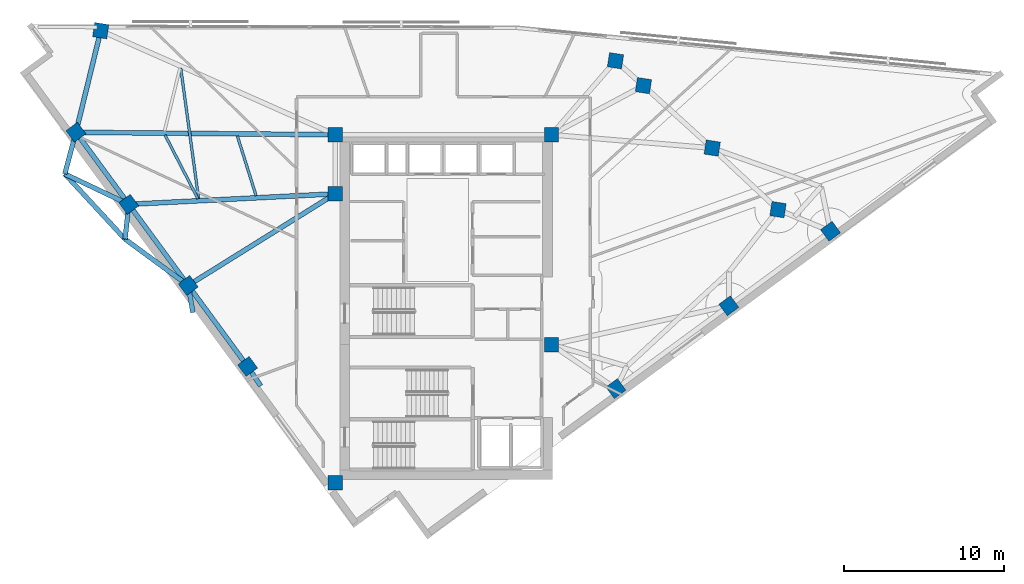
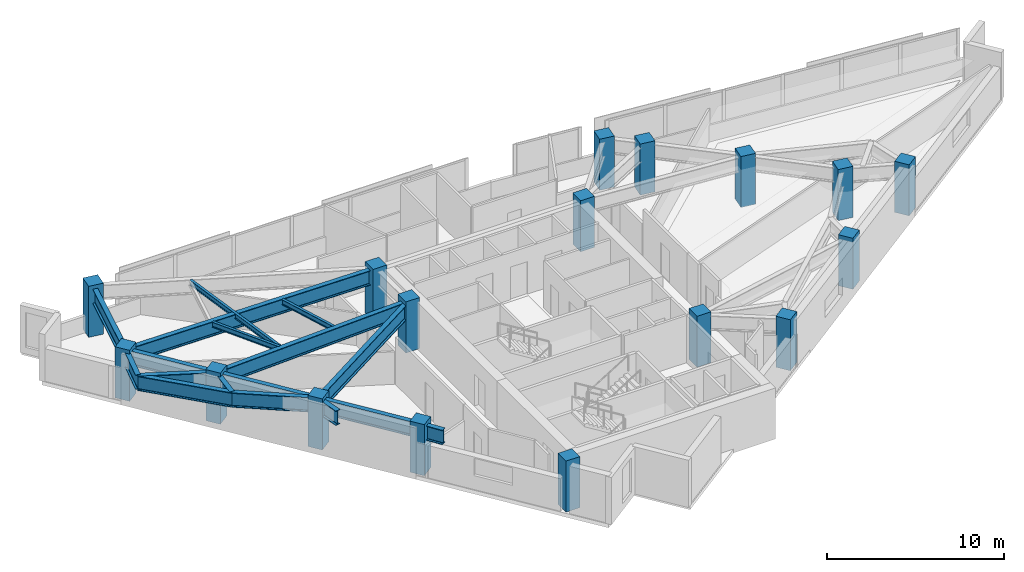
# One storey, part 1 of 14: 17 beams, 17 columns.
"""IFC4 building model written with IfcOpenShell, lengths in metres."""

from ifc_helpers import new_model, si_unit, direction, frame, origin, origin_2d, place, context, subcontext, project, spatial, rectangle, i_section, extrude, material, material_profile, profile_set, type_object, element, save


model = new_model("IFC4")

# Units and contexts
model_context = context("Model", 3, precision=1e-05, world=origin(), true_north=direction((0.0, 1.0)))
body_context = subcontext(model_context, "Body", "Model", "MODEL_VIEW")
ifc_project = project(units=[si_unit("LENGTHUNIT", "METRE"), si_unit("AREAUNIT", "SQUARE_METRE"), si_unit("VOLUMEUNIT", "CUBIC_METRE"), si_unit("PLANEANGLEUNIT", "RADIAN"), si_unit("MASSUNIT", "GRAM", prefix="KILO")], contexts=[model_context])

# Site, building, storey
site_placement = place(None, origin())
site = spatial("IfcSite", under=ifc_project, at=site_placement, CompositionType="ELEMENT")
building_placement = place(site_placement, origin())
building = spatial("IfcBuilding", under=site, at=building_placement, Name="Narakoshi Arena Tower", CompositionType="ELEMENT")
storey_placement = place(building_placement, frame((0.0, 0.0, 260.739990234375)))
storey = spatial("IfcBuildingStorey", under=building, at=storey_placement, Name="L71", CompositionType="ELEMENT", Elevation=260.739990234375)

# Columns
ifc_material_1 = material(Name="Concrete C50/60", Category="concrete")
ifc_material_profile_1 = material_profile(ifc_material_1, rectangle(XDim=0.89990234375, YDim=0.89990234375, at=origin_2d()), Name="RC900x900")
ifc_profile_set_1 = profile_set([ifc_material_profile_1], Name="Concrete C50/60")
column_type = type_object("IfcColumnType", Name="COL-RC900", PredefinedType="COLUMN", material=ifc_profile_set_1)
for number, where, z_axis, x_axis, name in (
    (1, (72.0, 34.699951171875, 0.0), (0.0, 0.0, 1.0), (1.0, 0.0, 0.0), "L71 Core Structural Column CC1"),
    (2, (85.550048828125, 43.35009765625, 0.0), (0.0, 0.0, 1.0), (1.0, 0.0, 0.0), "L71 Core Structural Column CC3"),
    (3, (72.0, 52.800048828125, 0.0), (0.0, 0.0, 1.0), (1.0, 0.0, 0.0), "L71 Core Structural Column CC4"),
    (4, (72.0, 56.5, 0.0), (0.0, 0.0, 1.0), (1.0, 0.0, 0.0), "L71 Core Structural Column CC5"),
    (5, (85.550048828125, 56.5, 0.0), (0.0, 0.0, 1.0), (1.0, 0.0, 0.0), "L71 Core Structural Column CC6"),
    (6, (89.58642578125, 40.594482421875, 0.0), (0.0, 0.0, 1.0), (0.806444604267, 0.591309648364, 0.0), "L71 Tower Perimeter Column TC01"),
    (7, (96.663330078125, 45.783447265625, 0.0), (0.0, 0.0, 1.0), (0.806444604267, 0.591309648364, 0.0), "L71 Tower Perimeter Column TC02"),
    (8, (103.032470703125, 50.45361328125, 0.0), (0.0, 0.0, 1.0), (0.806444604267, 0.591309648364, 0.0), "L71 Tower Perimeter Column TC03"),
    (9, (99.74267578125, 51.80712890625, 0.0), (0.0, 0.0, 1.0), (0.15212338619, 0.988361510468, 0.0), "L71 Tower Perimeter Column TC05"),
    (10, (95.619384765625, 55.665283203125, 0.0), (0.0, 0.0, 1.0), (0.15212338619, 0.988361510468, 0.0), "L71 Tower Perimeter Column TC06"),
    (11, (91.311279296875, 59.576416015625, 0.0), (0.0, 0.0, 1.0), (0.15212338619, 0.988361510468, 0.0), "L71 Tower Perimeter Column TC07"),
    (12, (89.5615234375, 61.134765625, 0.0), (0.0, 0.0, 1.0), (0.15212338619, 0.988361510468, 0.0), "L71 Tower Perimeter Column TC08"),
    (13, (57.30908203125, 63.0205078125, 0.0), (0.0, 0.0, 1.0), (0.15212338619, 0.988361510468, 0.0), "L71 Tower Perimeter Column TC10"),
    (14, (55.75341796875, 56.654296875, 0.0), (0.0, 0.0, 1.0), (-0.591309648364, 0.806444604267, 0.0), "L71 Tower Perimeter Column TC13"),
    (15, (59.063232421875, 52.140380859375, 0.0), (0.0, 0.0, 1.0), (-0.591309648364, 0.806444604267, 0.0), "L71 Tower Perimeter Column TC14"),
    (16, (62.786865234375, 47.061767578125, 0.0), (0.0, 0.0, 1.0), (-0.591309648364, 0.806444604267, 0.0), "L71 Tower Perimeter Column TC15"),
    (17, (66.510498046875, 41.9833984375, 0.0), (0.0, 0.0, 1.0), (-0.591309648364, 0.806444604267, 0.0), "L71 Tower Perimeter Column TC16"),
):
    element("IfcColumn", number, at=place(storey_placement, frame(where, z_axis=z_axis, x_axis=x_axis)), inside=storey, type_object=column_type, Name=name, PredefinedType="COLUMN", context=body_context, shape_type="SweptSolid", body=[
        extrude(rectangle(XDim=0.89990234375, YDim=0.89990234375, at=origin_2d()), origin(), (0.0, 0.0, 1.0), 3.52001953125),
    ])

# Beams
ifc_material_2 = material(Name="Structural steel S355J2", Category="steel")
ifc_material_profile_2 = material_profile(ifc_material_2, i_section(OverallWidth=0.169921875, OverallDepth=0.360107421875, WebThickness=0.008056640625, FlangeThickness=0.0126953125, FilletRadius=0.01806640625, at=origin_2d()), Name="IPE360")
ifc_profile_set_2 = profile_set([ifc_material_profile_2], Name="Structural steel S355J2")
beam_type_1 = type_object("IfcBeamType", Name="BM-SEC-360", PredefinedType="JOIST", material=ifc_profile_set_2)
beam_1_placement = place(storey_placement, frame((65.86669921875, 56.429931640625, 3.080078125), z_axis=(0.299321233249, -0.954152398376, 0.0), x_axis=(0.954152398376, 0.299321233249, 0.0)))
element("IfcBeam", 18, at=beam_1_placement, inside=storey, type_object=beam_type_1, Name="L71 Composite Secondary Floor Joist 02", PredefinedType="JOIST", context=body_context, shape_type="SweptSolid", body=[
    extrude(i_section(OverallWidth=0.169921875, OverallDepth=0.360107421875, WebThickness=0.008056640625, FlangeThickness=0.0126953125, FilletRadius=0.01806640625, at=origin_2d()), origin(), (0.0, 0.0, 1.0), 3.93212890625),
])
beam_2_placement = place(storey_placement, frame((61.339111328125, 56.48193359375, 3.080078125), z_axis=(0.458232175947, -0.888832533679, 0.0), x_axis=(0.888832533679, 0.458232175947, 0.0)))
element("IfcBeam", 19, at=beam_2_placement, inside=storey, type_object=beam_type_1, Name="L71 Composite Secondary Floor Joist 03", PredefinedType="JOIST", context=body_context, shape_type="SweptSolid", body=[
    extrude(i_section(OverallWidth=0.169921875, OverallDepth=0.360107421875, WebThickness=0.008056640625, FlangeThickness=0.0126953125, FilletRadius=0.01806640625, at=origin_2d()), origin(), (0.0, 0.0, 1.0), 4.497314453125),
])
beam_3_placement = place(storey_placement, frame((63.443359375, 52.498291015625, 3.080078125), z_axis=(-0.135891154763, 0.990723772833, 0.0), x_axis=(-0.990723772833, -0.135891154763, 0.0)))
element("IfcBeam", 20, at=beam_3_placement, inside=storey, type_object=beam_type_1, Name="L71 Composite Secondary Floor Joist 04", PredefinedType="JOIST", context=body_context, shape_type="SweptSolid", body=[
    extrude(i_section(OverallWidth=0.169921875, OverallDepth=0.360107421875, WebThickness=0.008056640625, FlangeThickness=0.0126953125, FilletRadius=0.01806640625, at=origin_2d()), origin(), (0.0, 0.0, 1.0), 8.248046875),
])
ifc_material_3 = material(Name="Structural steel S460ML", Category="steel")
ifc_material_profile_3 = material_profile(ifc_material_3, i_section(OverallWidth=0.302001953125, OverallDepth=1.008056640625, WebThickness=0.02099609375, FlangeThickness=0.0400390625, FilletRadius=0.030029296875, at=origin_2d()), Name="HE1000M")
ifc_profile_set_3 = profile_set([ifc_material_profile_3], Name="Structural steel S460ML")
beam_type_2 = type_object("IfcBeamType", Name="BM-XFER-1000", PredefinedType="BEAM", material=ifc_profile_set_3)
beam_4_placement = place(storey_placement, frame((57.30908203125, 63.0205078125, 2.756103515625), z_axis=(-0.237378097084, -0.971417335147, 0.0), x_axis=(0.971417335147, -0.237378097084, 0.0)))
element("IfcBeam", 21, at=beam_4_placement, inside=storey, type_object=beam_type_2, Name="L71 Perimeter Transfer Ring Girder 08", PredefinedType="BEAM", context=body_context, shape_type="SweptSolid", body=[
    extrude(i_section(OverallWidth=0.302001953125, OverallDepth=1.008056640625, WebThickness=0.02099609375, FlangeThickness=0.0400390625, FilletRadius=0.030029296875, at=origin_2d()), origin(), (0.0, 0.0, 1.0), 6.553466796875),
])
beam_5_placement = place(storey_placement, frame((55.75341796875, 56.654296875, 2.756103515625), z_axis=(0.591318280641, -0.806438274749, 0.0), x_axis=(0.806438274749, 0.591318280641, 0.0)))
element("IfcBeam", 22, at=beam_5_placement, inside=storey, type_object=beam_type_2, Name="L71 Perimeter Transfer Ring Girder 09", PredefinedType="BEAM", context=body_context, shape_type="SweptSolid", body=[
    extrude(i_section(OverallWidth=0.302001953125, OverallDepth=1.008056640625, WebThickness=0.02099609375, FlangeThickness=0.0400390625, FilletRadius=0.030029296875, at=origin_2d()), origin(), (0.0, 0.0, 1.0), 5.597412109375),
])
for number, where, z_axis, x_axis, name in (
    (23, (59.063232421875, 52.140380859375, 2.756103515625), (0.591293071807, -0.80645675844, 0.0), (0.80645675844, 0.591293071807, 0.0), "L71 Perimeter Transfer Ring Girder 10"),
    (24, (62.786865234375, 47.061767578125, 2.756103515625), (0.59131155895, -0.806443203364, 0.0), (0.806443203364, 0.59131155895, 0.0), "L71 Perimeter Transfer Ring Girder 11"),
):
    element("IfcBeam", number, at=place(storey_placement, frame(where, z_axis=z_axis, x_axis=x_axis)), inside=storey, type_object=beam_type_2, Name=name, PredefinedType="BEAM", context=body_context, shape_type="SweptSolid", body=[
        extrude(i_section(OverallWidth=0.302001953125, OverallDepth=1.008056640625, WebThickness=0.02099609375, FlangeThickness=0.0400390625, FilletRadius=0.030029296875, at=origin_2d()), origin(), (0.0, 0.0, 1.0), 6.29736328125),
    ])
beam_6_placement = place(storey_placement, frame((72.0, 52.800048828125, 2.756103515625), z_axis=(-0.848822444764, -0.528678027976, 0.0), x_axis=(0.528678027976, -0.848822444764, 0.0)))
element("IfcBeam", 25, at=beam_6_placement, inside=storey, type_object=beam_type_2, Name="L71 Lower Transfer Radial Girder 11", PredefinedType="BEAM", context=body_context, shape_type="SweptSolid", body=[
    extrude(i_section(OverallWidth=0.302001953125, OverallDepth=1.008056640625, WebThickness=0.02099609375, FlangeThickness=0.0400390625, FilletRadius=0.030029296875, at=origin_2d()), origin(), (0.0, 0.0, 1.0), 10.85400390625),
])
beam_7_placement = place(storey_placement, frame((55.75341796875, 56.654296875, 2.756103515625), z_axis=(-0.257617610137, -0.966246949256, 0.0), x_axis=(0.966246949256, -0.257617610137, 0.0)))
element("IfcBeam", 26, at=beam_7_placement, inside=storey, type_object=beam_type_2, Name="L71 Block-Turn Transfer Node Girder 09-1", PredefinedType="BEAM", context=body_context, shape_type="SweptSolid", body=[
    extrude(i_section(OverallWidth=0.302001953125, OverallDepth=1.008056640625, WebThickness=0.02099609375, FlangeThickness=0.0400390625, FilletRadius=0.030029296875, at=origin_2d()), origin(), (0.0, 0.0, 1.0), 2.698974609375),
])
beam_8_placement = place(storey_placement, frame((59.063232421875, 52.140380859375, 2.756103515625), z_axis=(-0.902965285609, 0.429713501051, 0.0), x_axis=(-0.429713501051, -0.902965285609, 0.0)))
element("IfcBeam", 27, at=beam_8_placement, inside=storey, type_object=beam_type_2, Name="L71 Block-Turn Transfer Node Girder 09-2", PredefinedType="BEAM", context=body_context, shape_type="SweptSolid", body=[
    extrude(i_section(OverallWidth=0.302001953125, OverallDepth=1.008056640625, WebThickness=0.02099609375, FlangeThickness=0.0400390625, FilletRadius=0.030029296875, at=origin_2d()), origin(), (0.0, 0.0, 1.0), 4.435546875),
])
beam_9_placement = place(storey_placement, frame((59.063232421875, 52.140380859375, 2.756103515625), z_axis=(-0.104157079239, -0.994560859296, 0.0), x_axis=(0.994560859296, -0.104157079239, 0.0)))
element("IfcBeam", 28, at=beam_9_placement, inside=storey, type_object=beam_type_2, Name="L71 Block-Turn Transfer Node Girder 10-1", PredefinedType="BEAM", context=body_context, shape_type="SweptSolid", body=[
    extrude(i_section(OverallWidth=0.302001953125, OverallDepth=1.008056640625, WebThickness=0.02099609375, FlangeThickness=0.0400390625, FilletRadius=0.030029296875, at=origin_2d()), origin(), (0.0, 0.0, 1.0), 2.191650390625),
])
beam_10_placement = place(storey_placement, frame((62.786865234375, 47.061767578125, 2.756103515625), z_axis=(-0.806321054474, 0.591478112116, 0.0), x_axis=(-0.591478112116, -0.806321054474, 0.0)))
element("IfcBeam", 29, at=beam_10_placement, inside=storey, type_object=beam_type_2, Name="L71 Block-Turn Transfer Node Girder 10-2", PredefinedType="BEAM", context=body_context, shape_type="SweptSolid", body=[
    extrude(i_section(OverallWidth=0.302001953125, OverallDepth=1.008056640625, WebThickness=0.02099609375, FlangeThickness=0.0400390625, FilletRadius=0.030029296875, at=origin_2d()), origin(), (0.0, 0.0, 1.0), 4.901123046875),
])
beam_11_placement = place(storey_placement, frame((62.786865234375, 47.061767578125, 2.756103515625), z_axis=(0.172411260027, -0.985025054207, 0.0), x_axis=(0.985025054207, 0.172411260027, 0.0)))
element("IfcBeam", 30, at=beam_11_placement, inside=storey, type_object=beam_type_2, Name="L71 Block-Turn Transfer Node Girder 11-1", PredefinedType="BEAM", context=body_context, shape_type="SweptSolid", body=[
    extrude(i_section(OverallWidth=0.302001953125, OverallDepth=1.008056640625, WebThickness=0.02099609375, FlangeThickness=0.0400390625, FilletRadius=0.030029296875, at=origin_2d()), origin(), (0.0, 0.0, 1.0), 1.723388671875),
])
beam_12_placement = place(storey_placement, frame((66.510498046875, 41.9833984375, 2.756103515625), z_axis=(0.56021538744, -0.828346980241, 0.0), x_axis=(0.828346980241, 0.56021538744, 0.0)))
element("IfcBeam", 31, at=beam_12_placement, inside=storey, type_object=beam_type_2, Name="L71 Block-Turn Transfer Node Girder 12-1", PredefinedType="BEAM", context=body_context, shape_type="SweptSolid", body=[
    extrude(i_section(OverallWidth=0.302001953125, OverallDepth=1.008056640625, WebThickness=0.02099609375, FlangeThickness=0.0400390625, FilletRadius=0.030029296875, at=origin_2d()), origin(), (0.0, 0.0, 1.0), 1.4677734375),
])
beam_13_placement = place(storey_placement, frame((55.05810546875, 54.04638671875, 2.756103515625), z_axis=(0.678808438166, -0.734315398365, 0.0), x_axis=(0.734315398365, 0.678808438166, 0.0)))
element("IfcBeam", 32, at=beam_13_placement, inside=storey, type_object=beam_type_2, Name="L71 Upper-Block Transfer Ring Girder 09", PredefinedType="BEAM", context=body_context, shape_type="SweptSolid", body=[
    extrude(i_section(OverallWidth=0.302001953125, OverallDepth=1.008056640625, WebThickness=0.02099609375, FlangeThickness=0.0400390625, FilletRadius=0.030029296875, at=origin_2d()), origin(), (0.0, 0.0, 1.0), 5.56396484375),
])
beam_14_placement = place(storey_placement, frame((72.0, 56.5, 2.756103515625), z_axis=(-0.999954904742, 0.009496761636, 0.0), x_axis=(-0.009496761636, -0.999954904742, 0.0)))
element("IfcBeam", 33, at=beam_14_placement, inside=storey, type_object=beam_type_2, Name="L71 Radial Primary Floor Girder 09", PredefinedType="BEAM", context=body_context, shape_type="SweptSolid", body=[
    extrude(i_section(OverallWidth=0.302001953125, OverallDepth=1.008056640625, WebThickness=0.02099609375, FlangeThickness=0.0400390625, FilletRadius=0.030029296875, at=origin_2d()), origin(), (0.0, 0.0, 1.0), 16.247314453125),
])
beam_15_placement = place(storey_placement, frame((72.0, 52.800048828125, 2.756103515625), z_axis=(-0.998702452309, -0.050925551079, 0.0), x_axis=(0.050925551079, -0.998702452309, 0.0)))
element("IfcBeam", 34, at=beam_15_placement, inside=storey, type_object=beam_type_2, Name="L71 Radial Primary Floor Girder 10", PredefinedType="BEAM", context=body_context, shape_type="SweptSolid", body=[
    extrude(i_section(OverallWidth=0.302001953125, OverallDepth=1.008056640625, WebThickness=0.02099609375, FlangeThickness=0.0400390625, FilletRadius=0.030029296875, at=origin_2d()), origin(), (0.0, 0.0, 1.0), 12.95361328125),
])

save(model, "model.ifc")
